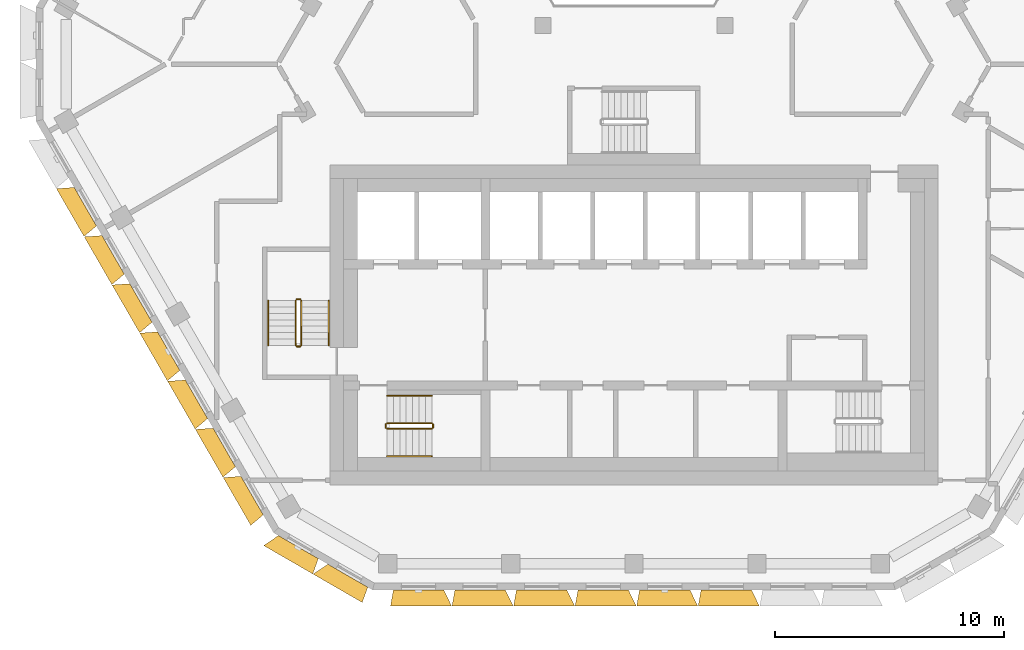
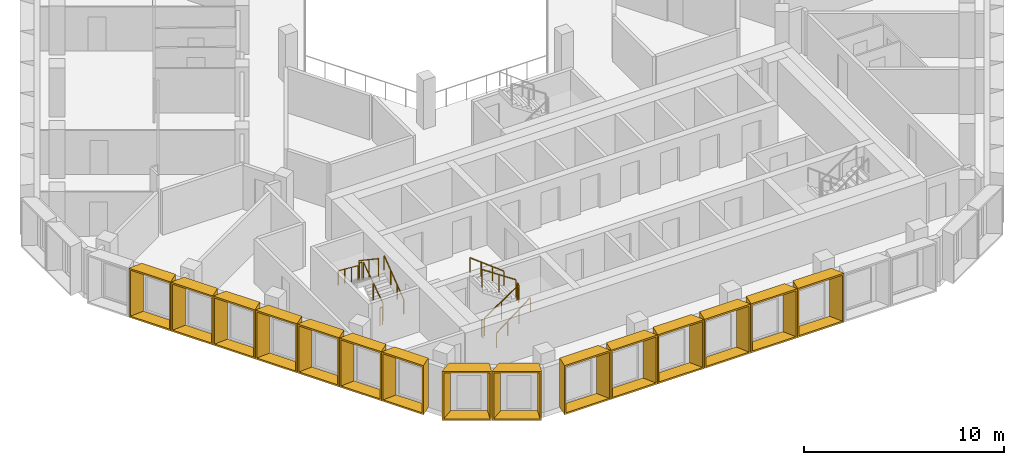
# One storey, part 13 of 17: 15 shading devices, 12 railings.
"""IFC4 building model written with IfcOpenShell, lengths in metres."""

from ifc_helpers import new_model, entity, si_unit, direction, frame, origin, origin_2d, place, context, subcontext, project, spatial, rectangle, extrude, source, transform, mapped, material, type_object, type_shapes, element, save


model = new_model("IFC4")

# Units and contexts
model_context = context("Model", 3, precision=1e-05, world=origin(), true_north=direction((0.0, 1.0)))
body_context = subcontext(model_context, "Body", "Model", "MODEL_VIEW")
ifc_project = project(units=[si_unit("LENGTHUNIT", "METRE"), si_unit("AREAUNIT", "SQUARE_METRE"), si_unit("VOLUMEUNIT", "CUBIC_METRE"), si_unit("PLANEANGLEUNIT", "RADIAN"), si_unit("MASSUNIT", "GRAM", prefix="KILO")], contexts=[model_context])

# Site, building, storey
site_placement = place(None, origin())
site = spatial("IfcSite", under=ifc_project, at=site_placement, CompositionType="ELEMENT")
building_placement = place(site_placement, origin())
building = spatial("IfcBuilding", under=site, at=building_placement, Name="Beryl Residences", CompositionType="ELEMENT")
storey_placement = place(building_placement, frame((0.0, 0.0, 166.199951171875)))
storey = spatial("IfcBuildingStorey", under=building, at=storey_placement, Name="L50", CompositionType="ELEMENT", Elevation=166.199951171875)

# Shading devices
ifc_material_1 = material(Name="Aluminium pale anodised", Category="aluminium")
shading_device_type_1 = type_object("IfcShadingDeviceType", Name="FR243-70B OUTER SKIN frame 700 mm deep, splay 26/10 deg, 2430 x 3000 mm cell", PredefinedType="USERDEFINED", material=ifc_material_1)
cartesian_point_1 = entity("IfcCartesianPoint", [-0.972412109375, 0.0])
cartesian_point_2 = entity("IfcCartesianPoint", [-0.883544921875, 0.10009765625])
cartesian_point_3 = entity("IfcCartesianPoint", [-1.31396484375, 0.0])
cartesian_point_4 = entity("IfcCartesianPoint", [-1.224853515625, 0.10009765625])
shared_shape_1 = source(origin(), body_context, "Body", "SweptSolid", [
    entity("IfcExtrudedAreaSolidTapered", entity("IfcArbitraryProfileDefWithVoids", "AREA", None, entity("IfcPolyline", [cartesian_point_1, entity("IfcCartesianPoint", [0.972412109375, 0.0]), entity("IfcCartesianPoint", [0.972412109375, 3.0]), entity("IfcCartesianPoint", [-0.972412109375, 3.0]), cartesian_point_1]), [entity("IfcPolyline", [cartesian_point_2, entity("IfcCartesianPoint", [0.891357421875, 0.10009765625]), entity("IfcCartesianPoint", [0.891357421875, 2.89990234375]), entity("IfcCartesianPoint", [-0.883544921875, 2.89990234375]), cartesian_point_2])]), entity("IfcAxis2Placement3D", entity("IfcCartesianPoint", [0.0, 0.0, 0.0]), entity("IfcDirection", [0.0, 1.0, 0.0]), entity("IfcDirection", [-1.0, 0.0, 0.0])), entity("IfcDirection", [0.0, 0.0, 1.0]), 0.699951171875, entity("IfcArbitraryProfileDefWithVoids", "AREA", None, entity("IfcPolyline", [cartesian_point_3, entity("IfcCartesianPoint", [1.095947265625, 0.0]), entity("IfcCartesianPoint", [1.095947265625, 3.0]), entity("IfcCartesianPoint", [-1.31396484375, 3.0]), cartesian_point_3]), [entity("IfcPolyline", [cartesian_point_4, entity("IfcCartesianPoint", [1.0146484375, 0.10009765625]), entity("IfcCartesianPoint", [1.0146484375, 2.89990234375]), entity("IfcCartesianPoint", [-1.224853515625, 2.89990234375]), cartesian_point_4])])),
])
type_shapes(shading_device_type_1, [shared_shape_1])
for number, where, z_axis, x_axis, name in (
    (1, (-23.9970703125, -6.833984375, 0.0), (0.0, 0.0, 1.0), (-0.5, 0.866025403784, 0.0), "FR243-70B frame L50 SW 2"),
    (2, (-22.781005859375, -8.93994140625, 0.0), (0.0, 0.0, 1.0), (-0.5, 0.866025403784, 0.0), "FR243-70B frame L50 SW 3"),
    (3, (-21.56494140625, -11.0458984375, 0.0), (0.0, 0.0, 1.0), (-0.5, 0.866025403784, 0.0), "FR243-70B frame L50 SW 4"),
    (4, (-20.35009765625, -13.152099609375, 0.0), (0.0, 0.0, 1.0), (-0.5, 0.866025403784, 0.0), "FR243-70B frame L50 SW 5"),
    (5, (-19.134033203125, -15.258056640625, 0.0), (0.0, 0.0, 1.0), (-0.5, 0.866025403784, 0.0), "FR243-70B frame L50 SW 6"),
    (6, (-17.91796875, -17.364990234375, 0.0), (0.0, 0.0, 1.0), (-0.5, 0.866025403784, 0.0), "FR243-70B frame L50 SW 7"),
    (7, (-16.701904296875, -19.470947265625, 0.0), (0.0, 0.0, 1.0), (-0.5, 0.866025403784, 0.0), "FR243-70B frame L50 SW 8"),
):
    element("IfcShadingDevice", number, at=place(storey_placement, frame(where, z_axis=z_axis, x_axis=x_axis)), inside=storey, type_object=shading_device_type_1, Name=name, ObjectType="OUTER SKIN", PredefinedType="USERDEFINED", context=body_context, shape_type="MappedRepresentation", body=[
        mapped(shared_shape_1, transform((0.0, 0.0, 0.0))),
    ])
ifc_material_2 = material(Name="Aluminium pale anodised", Category="aluminium")
shading_device_type_2 = type_object("IfcShadingDeviceType", Name="FR250-70B OUTER SKIN frame 700 mm deep, splay 26/10 deg, 2500 x 3000 mm cell", PredefinedType="USERDEFINED", material=ifc_material_2)
cartesian_point_5 = entity("IfcCartesianPoint", [-1.007568359375, 0.0])
cartesian_point_6 = entity("IfcCartesianPoint", [-0.91845703125, 0.10009765625])
cartesian_point_7 = entity("IfcCartesianPoint", [-1.348876953125, 0.0])
cartesian_point_8 = entity("IfcCartesianPoint", [-1.260009765625, 0.10009765625])
shared_shape_2 = source(origin(), body_context, "Body", "SweptSolid", [
    entity("IfcExtrudedAreaSolidTapered", entity("IfcArbitraryProfileDefWithVoids", "AREA", None, entity("IfcPolyline", [cartesian_point_5, entity("IfcCartesianPoint", [1.007568359375, 0.0]), entity("IfcCartesianPoint", [1.007568359375, 3.0]), entity("IfcCartesianPoint", [-1.007568359375, 3.0]), cartesian_point_5]), [entity("IfcPolyline", [cartesian_point_6, entity("IfcCartesianPoint", [0.92626953125, 0.10009765625]), entity("IfcCartesianPoint", [0.92626953125, 2.89990234375]), entity("IfcCartesianPoint", [-0.91845703125, 2.89990234375]), cartesian_point_6])]), entity("IfcAxis2Placement3D", entity("IfcCartesianPoint", [0.0, 0.0, 0.0]), entity("IfcDirection", [0.0, 1.0, 0.0]), entity("IfcDirection", [-1.0, 0.0, 0.0])), entity("IfcDirection", [0.0, 0.0, 1.0]), 0.699951171875, entity("IfcArbitraryProfileDefWithVoids", "AREA", None, entity("IfcPolyline", [cartesian_point_7, entity("IfcCartesianPoint", [1.130859375, 0.0]), entity("IfcCartesianPoint", [1.130859375, 3.0]), entity("IfcCartesianPoint", [-1.348876953125, 3.0]), cartesian_point_7]), [entity("IfcPolyline", [cartesian_point_8, entity("IfcCartesianPoint", [1.0498046875, 0.10009765625]), entity("IfcCartesianPoint", [1.0498046875, 2.89990234375]), entity("IfcCartesianPoint", [-1.260009765625, 2.89990234375]), cartesian_point_8])])),
])
type_shapes(shading_device_type_2, [shared_shape_2])
for number, where, z_axis, x_axis, name in (
    (8, (-14.677978515625, -21.72509765625, 0.0), (0.0, 0.0, 1.0), (-0.866025403784, 0.5, 0.0), "FR250-70B frame L50 SW-S 1"),
    (9, (-12.513916015625, -22.97509765625, 0.0), (0.0, 0.0, 1.0), (-0.866025403784, 0.5, 0.0), "FR250-70B frame L50 SW-S 2"),
):
    element("IfcShadingDevice", number, at=place(storey_placement, frame(where, z_axis=z_axis, x_axis=x_axis)), inside=storey, type_object=shading_device_type_2, Name=name, ObjectType="OUTER SKIN", PredefinedType="USERDEFINED", context=body_context, shape_type="MappedRepresentation", body=[
        mapped(shared_shape_2, transform((0.0, 0.0, 0.0))),
    ])
ifc_material_3 = material(Name="Aluminium pale anodised", Category="aluminium")
shading_device_type_3 = type_object("IfcShadingDeviceType", Name="FR269-70C OUTER SKIN frame 700 mm deep, splay 10/26 deg, 2690 x 3000 mm cell", PredefinedType="USERDEFINED", material=ifc_material_3)
cartesian_point_9 = entity("IfcCartesianPoint", [-1.1025390625, 0.0])
cartesian_point_10 = entity("IfcCartesianPoint", [-1.021240234375, 0.10009765625])
cartesian_point_11 = entity("IfcCartesianPoint", [-1.225830078125, 0.0])
cartesian_point_12 = entity("IfcCartesianPoint", [-1.144775390625, 0.10009765625])
shared_shape_3 = source(origin(), body_context, "Body", "SweptSolid", [
    entity("IfcExtrudedAreaSolidTapered", entity("IfcArbitraryProfileDefWithVoids", "AREA", None, entity("IfcPolyline", [cartesian_point_9, entity("IfcCartesianPoint", [1.1025390625, 0.0]), entity("IfcCartesianPoint", [1.1025390625, 3.0]), entity("IfcCartesianPoint", [-1.1025390625, 3.0]), cartesian_point_9]), [entity("IfcPolyline", [cartesian_point_10, entity("IfcCartesianPoint", [1.013427734375, 0.10009765625]), entity("IfcCartesianPoint", [1.013427734375, 2.89990234375]), entity("IfcCartesianPoint", [-1.021240234375, 2.89990234375]), cartesian_point_10])]), entity("IfcAxis2Placement3D", entity("IfcCartesianPoint", [0.0, 0.0, 0.0]), entity("IfcDirection", [0.0, 1.0, 0.0]), entity("IfcDirection", [-1.0, 0.0, 0.0])), entity("IfcDirection", [0.0, 0.0, 1.0]), 0.699951171875, entity("IfcArbitraryProfileDefWithVoids", "AREA", None, entity("IfcPolyline", [cartesian_point_11, entity("IfcCartesianPoint", [1.44384765625, 0.0]), entity("IfcCartesianPoint", [1.44384765625, 3.0]), entity("IfcCartesianPoint", [-1.225830078125, 3.0]), cartesian_point_11]), [entity("IfcPolyline", [cartesian_point_12, entity("IfcCartesianPoint", [1.35498046875, 0.10009765625]), entity("IfcCartesianPoint", [1.35498046875, 2.89990234375]), entity("IfcCartesianPoint", [-1.144775390625, 2.89990234375]), cartesian_point_12])])),
])
type_shapes(shading_device_type_3, [shared_shape_3])
for number, where, z_axis, x_axis, name in (
    (10, (-9.4208984375, -23.60009765625, 0.0), (0.0, 0.0, 1.0), (-1.0, 0.0, 0.0), "FR269-70C frame L50 S 1"),
    (11, (-6.72900390625, -23.60009765625, 0.0), (0.0, 0.0, 1.0), (-1.0, 0.0, 0.0), "FR269-70C frame L50 S 2"),
    (12, (-4.037109375, -23.60009765625, 0.0), (0.0, 0.0, 1.0), (-1.0, 0.0, 0.0), "FR269-70C frame L50 S 3"),
    (13, (-1.344970703125, -23.60009765625, 0.0), (0.0, 0.0, 1.0), (-1.0, 0.0, 0.0), "FR269-70C frame L50 S 4"),
    (14, (1.346923828125, -23.60009765625, 0.0), (0.0, 0.0, 1.0), (-1.0, 0.0, 0.0), "FR269-70C frame L50 S 5"),
    (15, (4.0390625, -23.60009765625, 0.0), (0.0, 0.0, 1.0), (-1.0, 0.0, 0.0), "FR269-70C frame L50 S 6"),
):
    element("IfcShadingDevice", number, at=place(storey_placement, frame(where, z_axis=z_axis, x_axis=x_axis)), inside=storey, type_object=shading_device_type_3, Name=name, ObjectType="OUTER SKIN", PredefinedType="USERDEFINED", context=body_context, shape_type="MappedRepresentation", body=[
        mapped(shared_shape_3, transform((0.0, 0.0, 0.0))),
    ])

# Railings
ifc_material_4 = material(Name="Stainless steel balustrade with glass infill", Category="steel")
railing_type_1 = type_object("IfcRailingType", Name="SG1 stair guard 1100 mm", PredefinedType="GUARDRAIL", material=ifc_material_4)
railing_1_placement = place(storey_placement, frame((-10.800048828125, -16.550048828125, 0.1875)))
element("IfcRailing", 16, at=railing_1_placement, inside=storey, type_object=railing_type_1, Name="L50 ST-1 stair guard 1", PredefinedType="GUARDRAIL", context=body_context, shape_type="SweptSolid", body=[
    extrude(rectangle(XDim=0.048095703125, YDim=0.048095703125, at=origin_2d()), frame((0.0, 0.0, 1.076171875), z_axis=(0.830902050051, 0.0, 0.556418712142), x_axis=(0.0, 1.0, 0.0)), (0.0, 0.0, 1.0), 2.35888671875),
    extrude(rectangle(XDim=0.0419921875, YDim=0.0419921875, at=origin_2d()), origin(), (0.0, 0.0, 1.0), 1.052001953125),
    extrude(rectangle(XDim=0.0419921875, YDim=0.0419921875, at=origin_2d()), frame((0.97998046875, 0.0, 0.65625)), (0.0, 0.0, 1.0), 1.052001953125),
    extrude(rectangle(XDim=0.0419921875, YDim=0.0419921875, at=origin_2d()), frame((1.9599609375, 0.0, 1.3125)), (0.0, 0.0, 1.0), 1.052001953125),
])
railing_2_placement = place(storey_placement, frame((-8.7900390625, -16.5, 1.5)))
element("IfcRailing", 17, at=railing_2_placement, inside=storey, type_object=railing_type_1, Name="L50 ST-1 stair guard 2", PredefinedType="GUARDRAIL", context=body_context, shape_type="SweptSolid", body=[
    extrude(rectangle(XDim=0.048095703125, YDim=0.048095703125, at=origin_2d()), frame((0.0, 0.0, 1.076171875), z_axis=(0.0, 1.0, 0.0), x_axis=(-1.0, 0.0, 0.0)), (0.0, 0.0, 1.0), 0.14990234375),
    extrude(rectangle(XDim=0.0419921875, YDim=0.0419921875, at=origin_2d()), origin(), (0.0, 0.0, 1.0), 1.052001953125),
    extrude(rectangle(XDim=0.0419921875, YDim=0.0419921875, at=origin_2d()), frame((0.0, 0.14990234375, 0.0)), (0.0, 0.0, 1.0), 1.052001953125),
])
railing_3_placement = place(storey_placement, frame((-8.840087890625, -16.300048828125, 1.6875)))
element("IfcRailing", 18, at=railing_3_placement, inside=storey, type_object=railing_type_1, Name="L50 ST-1 stair guard 3", PredefinedType="GUARDRAIL", context=body_context, shape_type="SweptSolid", body=[
    extrude(rectangle(XDim=0.048095703125, YDim=0.048095703125, at=origin_2d()), frame((0.0, 0.0, 1.076171875), z_axis=(-0.830902050051, 0.0, 0.556418712142), x_axis=(0.0, -1.0, 0.0)), (0.0, 0.0, 1.0), 2.35888671875),
    extrude(rectangle(XDim=0.0419921875, YDim=0.0419921875, at=origin_2d()), origin(), (0.0, 0.0, 1.0), 1.052001953125),
    extrude(rectangle(XDim=0.0419921875, YDim=0.0419921875, at=origin_2d()), frame((-0.97998046875, 0.0, 0.65625)), (0.0, 0.0, 1.0), 1.052001953125),
    extrude(rectangle(XDim=0.0419921875, YDim=0.0419921875, at=origin_2d()), frame((-1.9599609375, 0.0, 1.3125)), (0.0, 0.0, 1.0), 1.052001953125),
])
railing_4_placement = place(storey_placement, frame((-10.85009765625, -16.5, 0.0)))
element("IfcRailing", 19, at=railing_4_placement, inside=storey, type_object=railing_type_1, Name="L50 ST-1 stair guard 4", PredefinedType="GUARDRAIL", context=body_context, shape_type="SweptSolid", body=[
    extrude(rectangle(XDim=0.048095703125, YDim=0.048095703125, at=origin_2d()), frame((0.0, 0.0, 1.076171875), z_axis=(0.0, 1.0, 0.0), x_axis=(-1.0, 0.0, 0.0)), (0.0, 0.0, 1.0), 0.14990234375),
    extrude(rectangle(XDim=0.0419921875, YDim=0.0419921875, at=origin_2d()), origin(), (0.0, 0.0, 1.0), 1.052001953125),
    extrude(rectangle(XDim=0.0419921875, YDim=0.0419921875, at=origin_2d()), frame((0.0, 0.14990234375, 0.0)), (0.0, 0.0, 1.0), 1.052001953125),
])
railing_5_placement = place(storey_placement, frame((-14.550048828125, -12.89990234375, 0.1875)))
element("IfcRailing", 20, at=railing_5_placement, inside=storey, type_object=railing_type_1, Name="L50 ST-2 stair guard 1", PredefinedType="GUARDRAIL", context=body_context, shape_type="SweptSolid", body=[
    extrude(rectangle(XDim=0.048095703125, YDim=0.048095703125, at=origin_2d()), frame((0.0, 0.0, 1.076171875), z_axis=(0.0, 0.830902050051, 0.556418712142), x_axis=(-1.0, 0.0, 0.0)), (0.0, 0.0, 1.0), 2.35888671875),
    extrude(rectangle(XDim=0.0419921875, YDim=0.0419921875, at=origin_2d()), origin(), (0.0, 0.0, 1.0), 1.052001953125),
    extrude(rectangle(XDim=0.0419921875, YDim=0.0419921875, at=origin_2d()), frame((0.0, 0.97998046875, 0.65625)), (0.0, 0.0, 1.0), 1.052001953125),
    extrude(rectangle(XDim=0.0419921875, YDim=0.0419921875, at=origin_2d()), frame((0.0, 1.9599609375, 1.3125)), (0.0, 0.0, 1.0), 1.052001953125),
])
railing_6_placement = place(storey_placement, frame((-14.60009765625, -10.889892578125, 1.5)))
element("IfcRailing", 21, at=railing_6_placement, inside=storey, type_object=railing_type_1, Name="L50 ST-2 stair guard 2", PredefinedType="GUARDRAIL", context=body_context, shape_type="SweptSolid", body=[
    extrude(rectangle(XDim=0.048095703125, YDim=0.048095703125, at=origin_2d()), frame((0.0, 0.0, 1.076171875), z_axis=(-1.0, 0.0, 0.0), x_axis=(0.0, -1.0, 0.0)), (0.0, 0.0, 1.0), 0.14990234375),
    extrude(rectangle(XDim=0.0419921875, YDim=0.0419921875, at=origin_2d()), origin(), (0.0, 0.0, 1.0), 1.052001953125),
    extrude(rectangle(XDim=0.0419921875, YDim=0.0419921875, at=origin_2d()), frame((-0.14990234375, 0.0, 0.0)), (0.0, 0.0, 1.0), 1.052001953125),
])
railing_7_placement = place(storey_placement, frame((-14.800048828125, -10.93994140625, 1.6875)))
element("IfcRailing", 22, at=railing_7_placement, inside=storey, type_object=railing_type_1, Name="L50 ST-2 stair guard 3", PredefinedType="GUARDRAIL", context=body_context, shape_type="SweptSolid", body=[
    extrude(rectangle(XDim=0.048095703125, YDim=0.048095703125, at=origin_2d()), frame((0.0, 0.0, 1.076171875), z_axis=(0.0, -0.830902050051, 0.556418712142), x_axis=(1.0, 0.0, 0.0)), (0.0, 0.0, 1.0), 2.35888671875),
    extrude(rectangle(XDim=0.0419921875, YDim=0.0419921875, at=origin_2d()), origin(), (0.0, 0.0, 1.0), 1.052001953125),
    extrude(rectangle(XDim=0.0419921875, YDim=0.0419921875, at=origin_2d()), frame((0.0, -0.97998046875, 0.65625)), (0.0, 0.0, 1.0), 1.052001953125),
    extrude(rectangle(XDim=0.0419921875, YDim=0.0419921875, at=origin_2d()), frame((0.0, -1.9599609375, 1.3125)), (0.0, 0.0, 1.0), 1.052001953125),
])
railing_8_placement = place(storey_placement, frame((-14.60009765625, -12.949951171875, 0.0)))
element("IfcRailing", 23, at=railing_8_placement, inside=storey, type_object=railing_type_1, Name="L50 ST-2 stair guard 4", PredefinedType="GUARDRAIL", context=body_context, shape_type="SweptSolid", body=[
    extrude(rectangle(XDim=0.048095703125, YDim=0.048095703125, at=origin_2d()), frame((0.0, 0.0, 1.076171875), z_axis=(-1.0, 0.0, 0.0), x_axis=(0.0, -1.0, 0.0)), (0.0, 0.0, 1.0), 0.14990234375),
    extrude(rectangle(XDim=0.0419921875, YDim=0.0419921875, at=origin_2d()), origin(), (0.0, 0.0, 1.0), 1.052001953125),
    extrude(rectangle(XDim=0.0419921875, YDim=0.0419921875, at=origin_2d()), frame((-0.14990234375, 0.0, 0.0)), (0.0, 0.0, 1.0), 1.052001953125),
])
ifc_material_5 = material(Name="Stainless steel handrail", Category="steel")
railing_type_2 = type_object("IfcRailingType", Name="SRL1 stair handrail 900 mm", PredefinedType="HANDRAIL", material=ifc_material_5)
railing_9_placement = place(storey_placement, frame((-10.800048828125, -17.75, 0.1875)))
element("IfcRailing", 24, at=railing_9_placement, inside=storey, type_object=railing_type_2, Name="L50 ST-1 stair handrail 1", PredefinedType="HANDRAIL", context=body_context, shape_type="SweptSolid", body=[
    extrude(rectangle(XDim=0.048095703125, YDim=0.048095703125, at=origin_2d()), frame((0.0, 0.0, 0.8759765625), z_axis=(0.794121922505, 0.0, 0.607758481798), x_axis=(0.0, 1.0, 0.0)), (0.0, 0.0, 1.0), 2.468017578125),
    extrude(rectangle(XDim=0.0419921875, YDim=0.0419921875, at=origin_2d()), origin(), (0.0, 0.0, 1.0), 0.851806640625),
    extrude(rectangle(XDim=0.0419921875, YDim=0.0419921875, at=origin_2d()), frame((0.6533203125, 0.0, 0.5)), (0.0, 0.0, 1.0), 0.851806640625),
    extrude(rectangle(XDim=0.0419921875, YDim=0.0419921875, at=origin_2d()), frame((1.306640625, 0.0, 1.0)), (0.0, 0.0, 1.0), 0.851806640625),
    extrude(rectangle(XDim=0.0419921875, YDim=0.0419921875, at=origin_2d()), frame((1.9599609375, 0.0, 1.5)), (0.0, 0.0, 1.0), 0.851806640625),
])
railing_10_placement = place(storey_placement, frame((-8.840087890625, -15.10009765625, 1.6875)))
element("IfcRailing", 25, at=railing_10_placement, inside=storey, type_object=railing_type_2, Name="L50 ST-1 stair handrail 2", PredefinedType="HANDRAIL", context=body_context, shape_type="SweptSolid", body=[
    extrude(rectangle(XDim=0.048095703125, YDim=0.048095703125, at=origin_2d()), frame((0.0, 0.0, 0.8759765625), z_axis=(-0.794121922505, 0.0, 0.607758481798), x_axis=(0.0, -1.0, 0.0)), (0.0, 0.0, 1.0), 2.468017578125),
    extrude(rectangle(XDim=0.0419921875, YDim=0.0419921875, at=origin_2d()), origin(), (0.0, 0.0, 1.0), 0.851806640625),
    extrude(rectangle(XDim=0.0419921875, YDim=0.0419921875, at=origin_2d()), frame((-0.6533203125, 0.0, 0.5)), (0.0, 0.0, 1.0), 0.851806640625),
    extrude(rectangle(XDim=0.0419921875, YDim=0.0419921875, at=origin_2d()), frame((-1.306640625, 0.0, 1.0)), (0.0, 0.0, 1.0), 0.851806640625),
    extrude(rectangle(XDim=0.0419921875, YDim=0.0419921875, at=origin_2d()), frame((-1.9599609375, 0.0, 1.5)), (0.0, 0.0, 1.0), 0.851806640625),
])
railing_11_placement = place(storey_placement, frame((-13.35009765625, -12.89990234375, 0.1875)))
element("IfcRailing", 26, at=railing_11_placement, inside=storey, type_object=railing_type_2, Name="L50 ST-2 stair handrail 1", PredefinedType="HANDRAIL", context=body_context, shape_type="SweptSolid", body=[
    extrude(rectangle(XDim=0.048095703125, YDim=0.048095703125, at=origin_2d()), frame((0.0, 0.0, 0.8759765625), z_axis=(0.0, 0.794121922505, 0.607758481798), x_axis=(-1.0, 0.0, 0.0)), (0.0, 0.0, 1.0), 2.468017578125),
    extrude(rectangle(XDim=0.0419921875, YDim=0.0419921875, at=origin_2d()), origin(), (0.0, 0.0, 1.0), 0.851806640625),
    extrude(rectangle(XDim=0.0419921875, YDim=0.0419921875, at=origin_2d()), frame((0.0, 0.6533203125, 0.5)), (0.0, 0.0, 1.0), 0.851806640625),
    extrude(rectangle(XDim=0.0419921875, YDim=0.0419921875, at=origin_2d()), frame((0.0, 1.306640625, 1.0)), (0.0, 0.0, 1.0), 0.851806640625),
    extrude(rectangle(XDim=0.0419921875, YDim=0.0419921875, at=origin_2d()), frame((0.0, 1.9599609375, 1.5)), (0.0, 0.0, 1.0), 0.851806640625),
])
railing_12_placement = place(storey_placement, frame((-16.0, -10.93994140625, 1.6875)))
element("IfcRailing", 27, at=railing_12_placement, inside=storey, type_object=railing_type_2, Name="L50 ST-2 stair handrail 2", PredefinedType="HANDRAIL", context=body_context, shape_type="SweptSolid", body=[
    extrude(rectangle(XDim=0.048095703125, YDim=0.048095703125, at=origin_2d()), frame((0.0, 0.0, 0.8759765625), z_axis=(0.0, -0.794121922505, 0.607758481798), x_axis=(1.0, 0.0, 0.0)), (0.0, 0.0, 1.0), 2.468017578125),
    extrude(rectangle(XDim=0.0419921875, YDim=0.0419921875, at=origin_2d()), origin(), (0.0, 0.0, 1.0), 0.851806640625),
    extrude(rectangle(XDim=0.0419921875, YDim=0.0419921875, at=origin_2d()), frame((0.0, -0.6533203125, 0.5)), (0.0, 0.0, 1.0), 0.851806640625),
    extrude(rectangle(XDim=0.0419921875, YDim=0.0419921875, at=origin_2d()), frame((0.0, -1.306640625, 1.0)), (0.0, 0.0, 1.0), 0.851806640625),
    extrude(rectangle(XDim=0.0419921875, YDim=0.0419921875, at=origin_2d()), frame((0.0, -1.9599609375, 1.5)), (0.0, 0.0, 1.0), 0.851806640625),
])

save(model, "model.ifc")
